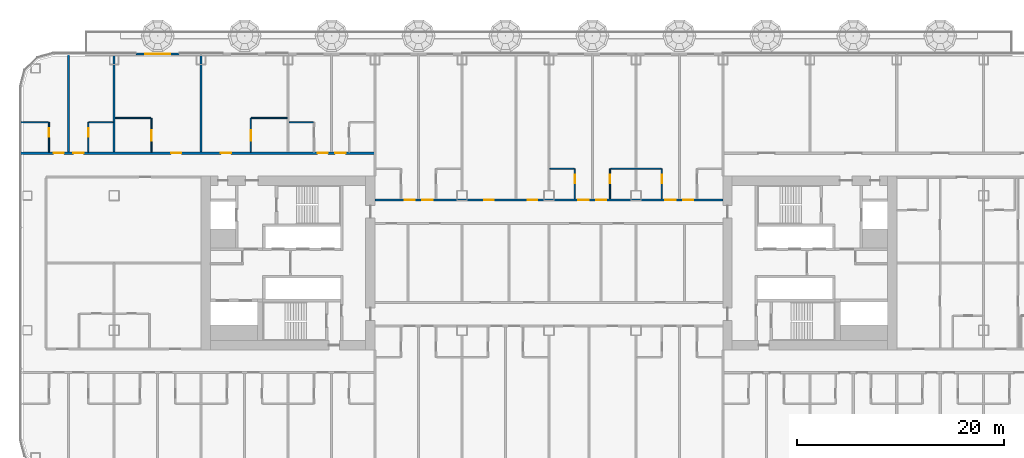
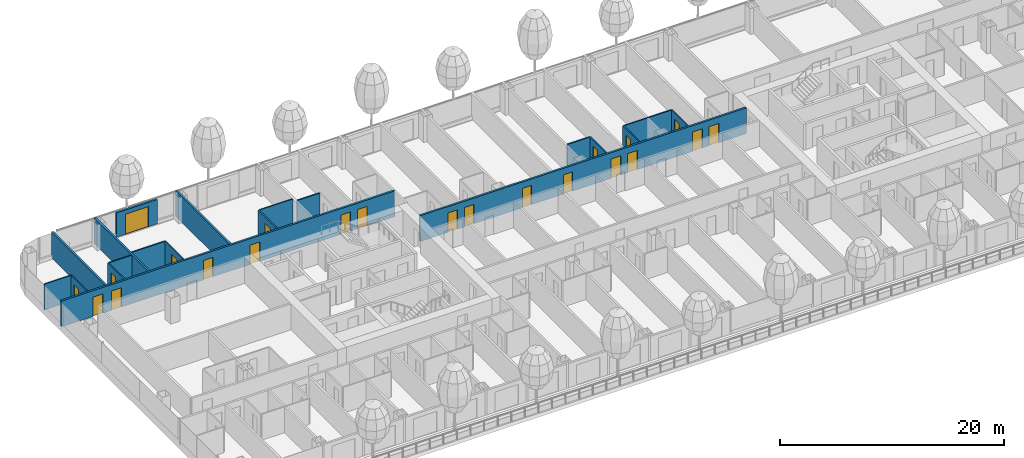
# One storey, part 17 of 37: 22 doors, 20 walls, 22 openings, 1 element without a shape of its own.
"""IFC4 building model written with IfcOpenShell, lengths in metres."""

import ifcopenshell
import ifcopenshell.guid

model = None  # the IFC model being written
_history = None  # IfcOwnerHistory: only IFC2X3 demands one
_inside = {}  # id of a spatial element -> (the spatial element, [elements in it])
_under = {}  # id of a project, library or spatial element -> (it, [spatial elements below it])
_declared = {}  # id of a project -> (the project, [libraries it declares])
_typed = {}  # id of a type object -> (the type object, [elements of that type])
_made_of = {}  # id of a material, layer set ... -> (it, [elements and type objects made of it])


def new_model(schema):
    """Start an empty IFC model of exactly this schema.

    Asked for "IFC4X3", IfcOpenShell would pick the latest addendum, in which some entities
    have other attributes; the version numbers below select the first issue.
    IFC2X3 requires an IfcOwnerHistory on every rooted entity: one is made here for all.
    """
    global model, _history
    if schema == "IFC4X3":
        model = ifcopenshell.file(schema_version=(4, 3, 0, 0))
    else:
        model = ifcopenshell.file(schema=schema)
    _inside.clear()
    _under.clear()
    _declared.clear()
    _typed.clear()
    _made_of.clear()
    _history = None
    if model.schema == "IFC2X3":
        org = make("IfcOrganization", Name="unknown")
        user = make(
            "IfcPersonAndOrganization",
            ThePerson=make("IfcPerson", FamilyName="unknown"),
            TheOrganization=org,
        )
        app = make(
            "IfcApplication",
            ApplicationDeveloper=org,
            Version="unknown",
            ApplicationFullName="unknown",
            ApplicationIdentifier="unknown",
        )
        _history = make(
            "IfcOwnerHistory",
            OwningUser=user,
            OwningApplication=app,
            ChangeAction="ADDED",
            CreationDate=0,
        )
    return model


def make(cls, **values):
    """One entity of the class cls with the attributes given. An attribute that is None is left unset."""
    return model.create_entity(
        cls, **{name: value for name, value in values.items() if value is not None}
    )


def rooted(cls, **values):
    """An entity with a GlobalId (a new one), such as an element, a storey or a relation."""
    return make(cls, GlobalId=ifcopenshell.guid.new(), OwnerHistory=_history, **values)


def si_unit(unit_type, name, prefix=None):
    """IfcSIUnit, for example si_unit("LENGTHUNIT", "METRE", prefix="MILLI")."""
    return make("IfcSIUnit", UnitType=unit_type, Prefix=prefix, Name=name)


def assignment(units):
    """IfcUnitAssignment: the units of a project."""
    return None if units is None else make("IfcUnitAssignment", Units=units)


def point(xyz):
    """IfcCartesianPoint."""
    return None if xyz is None else make("IfcCartesianPoint", Coordinates=xyz)


def direction(xyz):
    """IfcDirection."""
    return None if xyz is None else make("IfcDirection", DirectionRatios=xyz)


def frame(location, z_axis=None, x_axis=None):
    """IfcAxis2Placement3D, a coordinate frame: its origin and axes. An axis left out is left unset."""
    return make(
        "IfcAxis2Placement3D",
        Location=point(location),
        Axis=direction(z_axis),
        RefDirection=direction(x_axis),
    )


def frame_2d(location, x_axis=None):
    """IfcAxis2Placement2D, a coordinate frame in the plane: its origin and x axis."""
    return make(
        "IfcAxis2Placement2D", Location=point(location), RefDirection=direction(x_axis)
    )


def origin():
    """The frame at (0, 0, 0) with its axes left unset."""
    return frame((0.0, 0.0, 0.0))


def place(relative_to, where):
    """IfcLocalPlacement: puts the frame where relative to a parent placement (None: the world)."""
    return make(
        "IfcLocalPlacement", PlacementRelTo=relative_to, RelativePlacement=where
    )


def context(
    kind, dimensions, precision=None, world=None, true_north=None, identifier=None
):
    """IfcGeometricRepresentationContext, for example the 3D "Model" context."""
    return make(
        "IfcGeometricRepresentationContext",
        ContextIdentifier=identifier,
        ContextType=kind,
        CoordinateSpaceDimension=dimensions,
        Precision=precision,
        WorldCoordinateSystem=world,
        TrueNorth=true_north,
    )


def subcontext(parent, identifier, kind, view, scale=None):
    """IfcGeometricRepresentationSubContext, for example "Body" below "Model"."""
    return make(
        "IfcGeometricRepresentationSubContext",
        ContextIdentifier=identifier,
        ContextType=kind,
        ParentContext=parent,
        TargetScale=scale,
        TargetView=view,
    )


def project(units=None, contexts=None):
    """IfcProject with its units and contexts."""
    return rooted(
        "IfcProject",
        Name="project",
        RepresentationContexts=contexts,
        UnitsInContext=assignment(units),
    )


def spatial(cls, under=None, at=None, **own):
    """A site, building, storey or space (cls), placed at a placement, below another one or the project."""
    s = rooted(cls, ObjectPlacement=at, **own)
    if under is not None:
        _under.setdefault(under.id(), (under, []))[1].append(s)
    return s


def profile(cls, at=None, kind="AREA", **sizes):
    """A parametric profile (cls). Its sizes go by their IFC names, for example OverallWidth=200.0."""
    return make(cls, ProfileType=kind, Position=at, **sizes)


def rectangle(**sizes):
    """IfcRectangleProfileDef."""
    return profile("IfcRectangleProfileDef", **sizes)


def extrude(swept, where, along, depth):
    """IfcExtrudedAreaSolid: the profile swept, set in the frame where, extruded along a direction by depth."""
    return make(
        "IfcExtrudedAreaSolid",
        SweptArea=swept,
        Position=where,
        ExtrudedDirection=direction(along),
        Depth=depth,
    )


def shape(context_of_items, identifier, shape_type, items):
    """IfcShapeRepresentation: the items that make up one representation, for example the "Body"."""
    return make(
        "IfcShapeRepresentation",
        ContextOfItems=context_of_items,
        RepresentationIdentifier=identifier,
        RepresentationType=shape_type,
        Items=items,
    )


def material(Name=None, Category=None):
    """IfcMaterial."""
    return make("IfcMaterial", Name=Name, Category=Category)


def layer(
    of_material, thickness, ventilated=None, Name=None, Category=None, Priority=None
):
    """IfcMaterialLayer: one layer of a wall or slab, of a material (None: an air gap)."""
    return make(
        "IfcMaterialLayer",
        Material=of_material,
        LayerThickness=thickness,
        IsVentilated=ventilated,
        Name=Name,
        Category=Category,
        Priority=Priority,
    )


def layer_set(layers, Name=None):
    """IfcMaterialLayerSet."""
    return make("IfcMaterialLayerSet", MaterialLayers=layers, LayerSetName=Name)


def made_of(thing, what):
    """Note that an element or type object is made of a material, layer set ...; save() writes the relation."""
    if what is not None:
        _made_of.setdefault(what.id(), (what, []))[1].append(thing)
    return thing


def type_object(cls, material=None, **own):
    """A type object (cls), such as IfcWallType, which elements share."""
    return made_of(rooted(cls, **own), material)


def element(
    cls,
    number,
    at=None,
    inside=None,
    cuts=None,
    type_object=None,
    material=None,
    context=None,
    identifier="Body",
    shape_type=None,
    held_by="IfcProductDefinitionShape",
    body=None,
    shapes=None,
    **own,
):
    """One element of the class cls, such as IfcWall. Its Tag is "e" and its number.

    at: its placement. inside: the storey or other place that contains it. cuts: it is an
    opening in that element (IfcRelVoidsElement). A single representation is given by context,
    identifier, shape_type and body (its items); several are given by shapes. held_by: the class
    of the entity that holds the representations. save() writes the other relations.
    """
    e = rooted(cls, Tag="e%d" % number, ObjectPlacement=at, **own)
    if body is not None:
        shapes = [shape(context, identifier, shape_type, body)]
    if shapes is not None:
        e.Representation = make(held_by, Representations=shapes)
    if inside is not None:
        _inside.setdefault(inside.id(), (inside, []))[1].append(e)
    if cuts is not None:
        rooted(
            "IfcRelVoidsElement", RelatingBuildingElement=cuts, RelatedOpeningElement=e
        )
    if type_object is not None:
        _typed.setdefault(type_object.id(), (type_object, []))[1].append(e)
    return made_of(e, material)


def fill(opening, filler):
    """IfcRelFillsElement: the door or window that sits in an opening."""
    return rooted(
        "IfcRelFillsElement",
        RelatingOpeningElement=opening,
        RelatedBuildingElement=filler,
    )


def aggregate(whole, parts):
    """IfcRelAggregates: a whole, such as a stair, and the parts it consists of."""
    return rooted("IfcRelAggregates", RelatingObject=whole, RelatedObjects=parts)


def save(model, path):
    """Write the relations noted so far, then the file.

    IfcRelAggregates (storeys below a building ...), IfcRelContainedInSpatialStructure (elements
    in a storey), IfcRelDefinesByType, IfcRelAssociatesMaterial and IfcRelDeclares: one each for
    every whole, place, type object, material and project.
    """
    for whole, parts in _under.values():
        aggregate(whole, parts)
    for where, things in _inside.values():
        rooted(
            "IfcRelContainedInSpatialStructure",
            RelatedElements=things,
            RelatingStructure=where,
        )
    for kind, things in _typed.values():
        rooted("IfcRelDefinesByType", RelatedObjects=things, RelatingType=kind)
    for what, things in _made_of.values():
        rooted("IfcRelAssociatesMaterial", RelatedObjects=things, RelatingMaterial=what)
    for by, libraries in _declared.values():
        rooted("IfcRelDeclares", RelatingContext=by, RelatedDefinitions=libraries)
    model.write(path)


model = new_model("IFC4")

# Units and contexts
model_context = context("Model", 3, precision=1e-05, world=origin(), true_north=direction((0.0, 1.0)))
body_context = subcontext(model_context, "Body", "Model", "MODEL_VIEW")
ifc_project = project(units=[si_unit("LENGTHUNIT", "METRE"), si_unit("AREAUNIT", "SQUARE_METRE"), si_unit("VOLUMEUNIT", "CUBIC_METRE"), si_unit("PLANEANGLEUNIT", "RADIAN"), si_unit("MASSUNIT", "GRAM", prefix="KILO")], contexts=[model_context])

# Site, building, storey
site_placement = place(None, origin())
site = spatial("IfcSite", under=ifc_project, at=site_placement, CompositionType="ELEMENT")
building_placement = place(site_placement, origin())
building = spatial("IfcBuilding", under=site, at=building_placement, Name="Hakoniwa Tower and Hamabe Station Hall", CompositionType="ELEMENT")
storey_placement = place(building_placement, frame((0.0, 0.0, 39.0)))
storey = spatial("IfcBuildingStorey", under=building, at=storey_placement, Name="L10", CompositionType="ELEMENT", Elevation=39.0)

# Walls
ifc_material_1 = material(Name="Gypsum board partition", Category="gypsum")
ifc_layer_1 = layer(ifc_material_1, 0.125)
ifc_layer_set_1 = layer_set([ifc_layer_1], Name="Bathroom Partition 125")
wall_type_1 = type_object("IfcWallType", Name="Bathroom Partition 125", PredefinedType="PARTITIONING", material=ifc_layer_set_1)
wall_1_placement = place(storey_placement, frame((0.10009765625, 9.10009765625, 0.0), z_axis=(0.0, 0.0, 1.0), x_axis=(1.0, 0.0, 0.0)))
element("IfcWall", 1, at=wall_1_placement, inside=storey, type_object=wall_type_1, Name="GW-L10-035", PredefinedType="PARTITIONING", context=body_context, shape_type="SweptSolid", body=[
    extrude(rectangle(XDim=2.33740234375, YDim=0.125, at=frame_2d((1.168701171875, 0.0))), origin(), (0.0, 0.0, 1.0), 2.800048828125),
])
wall_2_placement = place(storey_placement, frame((5.96240234375, 9.10009765625, 0.0), z_axis=(0.0, 0.0, 1.0), x_axis=(1.0, 0.0, 0.0)))
element("IfcWall", 2, at=wall_2_placement, inside=storey, type_object=wall_type_1, Name="GW-L10-036", PredefinedType="PARTITIONING", context=body_context, shape_type="SweptSolid", body=[
    extrude(rectangle(XDim=4.875, YDim=0.125, at=frame_2d((2.4375, 0.0))), origin(), (0.0, 0.0, 1.0), 2.800048828125),
])
wall_3_placement = place(storey_placement, frame((-51.10009765625, 13.60009765625, 0.0), z_axis=(0.0, 0.0, 1.0), x_axis=(1.0, 0.0, 0.0)))
element("IfcWall", 3, at=wall_3_placement, inside=storey, type_object=wall_type_1, Name="GW-L10-040", PredefinedType="PARTITIONING", context=body_context, shape_type="SweptSolid", body=[
    extrude(rectangle(XDim=2.737548828125, YDim=0.125, at=frame_2d((1.36865234375, 0.0))), origin(), (0.0, 0.0, 1.0), 2.800048828125),
])
wall_4_placement = place(storey_placement, frame((-44.4375, 13.60009765625, 0.0), z_axis=(0.0, 0.0, 1.0), x_axis=(1.0, 0.0, 0.0)))
element("IfcWall", 4, at=wall_4_placement, inside=storey, type_object=wall_type_1, Name="GW-L10-041", PredefinedType="PARTITIONING", context=body_context, shape_type="SweptSolid", body=[
    extrude(rectangle(XDim=2.33740234375, YDim=0.125, at=frame_2d((1.168701171875, 0.0))), origin(), (0.0, 0.0, 1.0), 2.800048828125),
])
wall_5_placement = place(storey_placement, frame((-25.10009765625, 13.60009765625, 0.0), z_axis=(0.0, 0.0, 1.0), x_axis=(1.0, 0.0, 0.0)))
element("IfcWall", 5, at=wall_5_placement, inside=storey, type_object=wall_type_1, Name="GW-L10-042", PredefinedType="PARTITIONING", context=body_context, shape_type="SweptSolid", body=[
    extrude(rectangle(XDim=2.337646484375, YDim=0.125, at=frame_2d((1.1689453125, 0.0))), origin(), (0.0, 0.0, 1.0), 2.800048828125),
])
for number, where, z_axis, x_axis, name in (
    (6, (-41.89990234375, 14.0, 0.0), (0.0, 0.0, 1.0), (1.0, 0.0, 0.0), "GW-L10-044"),
    (7, (-28.737548828125, 14.0, 0.0), (0.0, 0.0, 1.0), (1.0, 0.0, 0.0), "GW-L10-045"),
):
    element("IfcWall", number, at=place(storey_placement, frame(where, z_axis=z_axis, x_axis=x_axis)), inside=storey, type_object=wall_type_1, Name=name, PredefinedType="PARTITIONING", context=body_context, shape_type="SweptSolid", body=[
        extrude(rectangle(XDim=3.4375, YDim=0.125, at=frame_2d((1.71875, 0.0))), origin(), (0.0, 0.0, 1.0), 2.800048828125),
    ])

# Wall, opening, door
wall_6_placement = place(storey_placement, frame((-48.300048828125, 10.699951171875, 0.0), z_axis=(0.0, 0.0, 1.0), x_axis=(0.0, 1.0, 0.0)))
wall_6 = element("IfcWall", 8, at=wall_6_placement, inside=storey, type_object=wall_type_1, Name="GW-L10-048", PredefinedType="PARTITIONING", context=body_context, shape_type="SweptSolid", body=[
    extrude(rectangle(XDim=2.900146484375, YDim=0.125, at=frame_2d((1.4501953125, 0.0))), origin(), (0.0, 0.0, 1.0), 2.800048828125),
])
opening_1_placement = place(wall_6_placement, frame((1.5, 0.0, 0.0)))
opening_1 = element("IfcOpeningElement", 9, at=opening_1_placement, cuts=wall_6, Name="Opening GD-G1B1-65", PredefinedType="OPENING", context=body_context, shape_type="SweptSolid", body=[
    extrude(rectangle(XDim=0.800048828125, YDim=2.10009765625, at=frame_2d((0.39990234375, 1.050048828125))), frame((0.0, 0.072509765625, 0.0), z_axis=(0.0, -1.0, 0.0), x_axis=(1.0, 0.0, 0.0)), (0.0, 0.0, 1.0), 0.14501953125),
])
ifc_material_2 = material(Name="Timber door leaf", Category="wood")
door_type_1 = type_object("IfcDoorType", Name="Bathroom Door 800", OperationType="SINGLE_SWING_LEFT", PredefinedType="DOOR", material=ifc_material_2)
door_1_placement = place(opening_1_placement, origin())
door_1 = element("IfcDoor", 10, at=door_1_placement, inside=storey, type_object=door_type_1, Name="Door GD-G1B1-65", OperationType="SINGLE_SWING_LEFT", OverallHeight=2.10009765625, OverallWidth=0.800048828125, PredefinedType="DOOR", context=body_context, shape_type="SweptSolid", body=[
    extrude(rectangle(XDim=0.800048828125, YDim=2.10009765625, at=frame_2d((0.39990234375, 1.050048828125))), frame((0.0, 0.02490234375, 0.0), z_axis=(0.0, -1.0, 0.0), x_axis=(1.0, 0.0, 0.0)), (0.0, 0.0, 1.0), 0.050048828125),
])
fill(opening_1, door_1)

wall_7_placement = place(storey_placement, frame((-44.5, 10.699951171875, 0.0), z_axis=(0.0, 0.0, 1.0), x_axis=(0.0, 1.0, 0.0)))
wall_7 = element("IfcWall", 11, at=wall_7_placement, inside=storey, type_object=wall_type_1, Name="GW-L10-053", PredefinedType="PARTITIONING", context=body_context, shape_type="SweptSolid", body=[
    extrude(rectangle(XDim=2.900146484375, YDim=0.125, at=frame_2d((1.4501953125, 0.0))), origin(), (0.0, 0.0, 1.0), 2.800048828125),
])
opening_2_placement = place(wall_7_placement, frame((1.5, 0.0, 0.0)))
opening_2 = element("IfcOpeningElement", 12, at=opening_2_placement, cuts=wall_7, Name="Opening GD-G1B1-67", PredefinedType="OPENING", context=body_context, shape_type="SweptSolid", body=[
    extrude(rectangle(XDim=0.800048828125, YDim=2.10009765625, at=frame_2d((0.39990234375, 1.050048828125))), frame((0.0, 0.072509765625, 0.0), z_axis=(0.0, -1.0, 0.0), x_axis=(1.0, 0.0, 0.0)), (0.0, 0.0, 1.0), 0.14501953125),
])
door_2_placement = place(opening_2_placement, origin())
door_2 = element("IfcDoor", 13, at=door_2_placement, inside=storey, type_object=door_type_1, Name="Door GD-G1B1-67", OperationType="SINGLE_SWING_RIGHT", OverallHeight=2.10009765625, OverallWidth=0.800048828125, PredefinedType="DOOR", context=body_context, shape_type="SweptSolid", body=[
    extrude(rectangle(XDim=0.800048828125, YDim=2.10009765625, at=frame_2d((0.39990234375, 1.050048828125))), frame((0.0, 0.02490234375, 0.0), z_axis=(0.0, -1.0, 0.0), x_axis=(1.0, 0.0, 0.0)), (0.0, 0.0, 1.0), 0.050048828125),
])
fill(opening_2, door_2)

wall_8_placement = place(storey_placement, frame((-38.39990234375, 10.699951171875, 0.0), z_axis=(0.0, 0.0, 1.0), x_axis=(0.0, 1.0, 0.0)))
wall_8 = element("IfcWall", 14, at=wall_8_placement, inside=storey, type_object=wall_type_1, Name="GW-L10-059", PredefinedType="PARTITIONING", context=body_context, shape_type="SweptSolid", body=[
    extrude(rectangle(XDim=3.300048828125, YDim=0.125, at=frame_2d((1.64990234375, 0.0))), origin(), (0.0, 0.0, 1.0), 2.800048828125),
])
opening_3_placement = place(wall_8_placement, frame((1.10009765625, 0.0, 0.0)))
opening_3 = element("IfcOpeningElement", 15, at=opening_3_placement, cuts=wall_8, Name="Opening GD-G1B1-69", PredefinedType="OPENING", context=body_context, shape_type="SweptSolid", body=[
    extrude(rectangle(XDim=1.0, YDim=2.10009765625, at=frame_2d((0.5, 1.050048828125))), frame((0.0, 0.072509765625, 0.0), z_axis=(0.0, -1.0, 0.0), x_axis=(1.0, 0.0, 0.0)), (0.0, 0.0, 1.0), 0.14501953125),
])
ifc_material_3 = material(Name="Timber door leaf", Category="wood")
door_type_2 = type_object("IfcDoorType", Name="Accessible Bathroom Door 1000", OperationType="SINGLE_SWING_LEFT", PredefinedType="DOOR", material=ifc_material_3)
door_3_placement = place(opening_3_placement, origin())
door_3 = element("IfcDoor", 16, at=door_3_placement, inside=storey, type_object=door_type_2, Name="Door GD-G1B1-69", OperationType="SINGLE_SWING_LEFT", OverallHeight=2.10009765625, OverallWidth=1.0, PredefinedType="DOOR", context=body_context, shape_type="SweptSolid", body=[
    extrude(rectangle(XDim=1.0, YDim=2.10009765625, at=frame_2d((0.5, 1.050048828125))), frame((0.0, 0.02490234375, 0.0), z_axis=(0.0, -1.0, 0.0), x_axis=(1.0, 0.0, 0.0)), (0.0, 0.0, 1.0), 0.050048828125),
])
fill(opening_3, door_3)

wall_9_placement = place(storey_placement, frame((-28.800048828125, 10.699951171875, 0.0), z_axis=(0.0, 0.0, 1.0), x_axis=(0.0, 1.0, 0.0)))
wall_9 = element("IfcWall", 17, at=wall_9_placement, inside=storey, type_object=wall_type_1, Name="GW-L10-066", PredefinedType="PARTITIONING", context=body_context, shape_type="SweptSolid", body=[
    extrude(rectangle(XDim=3.300048828125, YDim=0.125, at=frame_2d((1.64990234375, 0.0))), origin(), (0.0, 0.0, 1.0), 2.800048828125),
])
opening_4_placement = place(wall_9_placement, frame((1.10009765625, 0.0, 0.0)))
opening_4 = element("IfcOpeningElement", 18, at=opening_4_placement, cuts=wall_9, Name="Opening GD-G1B1-72", PredefinedType="OPENING", context=body_context, shape_type="SweptSolid", body=[
    extrude(rectangle(XDim=1.0, YDim=2.10009765625, at=frame_2d((0.5, 1.050048828125))), frame((0.0, 0.072509765625, 0.0), z_axis=(0.0, -1.0, 0.0), x_axis=(1.0, 0.0, 0.0)), (0.0, 0.0, 1.0), 0.14501953125),
])
door_4_placement = place(opening_4_placement, origin())
door_4 = element("IfcDoor", 19, at=door_4_placement, inside=storey, type_object=door_type_2, Name="Door GD-G1B1-72", OperationType="SINGLE_SWING_RIGHT", OverallHeight=2.10009765625, OverallWidth=1.0, PredefinedType="DOOR", context=body_context, shape_type="SweptSolid", body=[
    extrude(rectangle(XDim=1.0, YDim=2.10009765625, at=frame_2d((0.5, 1.050048828125))), frame((0.0, 0.02490234375, 0.0), z_axis=(0.0, -1.0, 0.0), x_axis=(1.0, 0.0, 0.0)), (0.0, 0.0, 1.0), 0.050048828125),
])
fill(opening_4, door_4)

wall_10_placement = place(storey_placement, frame((2.5, 6.199951171875, 0.0), z_axis=(0.0, 0.0, 1.0), x_axis=(0.0, 1.0, 0.0)))
wall_10 = element("IfcWall", 20, at=wall_10_placement, inside=storey, type_object=wall_type_1, Name="GW-L10-096", PredefinedType="PARTITIONING", context=body_context, shape_type="SweptSolid", body=[
    extrude(rectangle(XDim=2.900146484375, YDim=0.125, at=frame_2d((1.4501953125, 0.0))), origin(), (0.0, 0.0, 1.0), 2.800048828125),
])
opening_5_placement = place(wall_10_placement, frame((1.5, 0.0, 0.0)))
opening_5 = element("IfcOpeningElement", 21, at=opening_5_placement, cuts=wall_10, Name="Opening GD-G1B1-84", PredefinedType="OPENING", context=body_context, shape_type="SweptSolid", body=[
    extrude(rectangle(XDim=0.800048828125, YDim=2.10009765625, at=frame_2d((0.39990234375, 1.050048828125))), frame((0.0, 0.072509765625, 0.0), z_axis=(0.0, -1.0, 0.0), x_axis=(1.0, 0.0, 0.0)), (0.0, 0.0, 1.0), 0.14501953125),
])
door_5_placement = place(opening_5_placement, origin())
door_5 = element("IfcDoor", 22, at=door_5_placement, inside=storey, type_object=door_type_1, Name="Door GD-G1B1-84", OperationType="SINGLE_SWING_LEFT", OverallHeight=2.10009765625, OverallWidth=0.800048828125, PredefinedType="DOOR", context=body_context, shape_type="SweptSolid", body=[
    extrude(rectangle(XDim=0.800048828125, YDim=2.10009765625, at=frame_2d((0.39990234375, 1.050048828125))), frame((0.0, 0.02490234375, 0.0), z_axis=(0.0, -1.0, 0.0), x_axis=(1.0, 0.0, 0.0)), (0.0, 0.0, 1.0), 0.050048828125),
])
fill(opening_5, door_5)

wall_11_placement = place(storey_placement, frame((5.89990234375, 6.199951171875, 0.0), z_axis=(0.0, 0.0, 1.0), x_axis=(0.0, 1.0, 0.0)))
wall_11 = element("IfcWall", 23, at=wall_11_placement, inside=storey, type_object=wall_type_1, Name="GW-L10-100", PredefinedType="PARTITIONING", context=body_context, shape_type="SweptSolid", body=[
    extrude(rectangle(XDim=2.900146484375, YDim=0.125, at=frame_2d((1.4501953125, 0.0))), origin(), (0.0, 0.0, 1.0), 2.800048828125),
])
opening_6_placement = place(wall_11_placement, frame((1.5, 0.0, 0.0)))
opening_6 = element("IfcOpeningElement", 24, at=opening_6_placement, cuts=wall_11, Name="Opening GD-G1B1-85", PredefinedType="OPENING", context=body_context, shape_type="SweptSolid", body=[
    extrude(rectangle(XDim=0.800048828125, YDim=2.10009765625, at=frame_2d((0.39990234375, 1.050048828125))), frame((0.0, 0.072509765625, 0.0), z_axis=(0.0, -1.0, 0.0), x_axis=(1.0, 0.0, 0.0)), (0.0, 0.0, 1.0), 0.14501953125),
])
door_6_placement = place(opening_6_placement, origin())
door_6 = element("IfcDoor", 25, at=door_6_placement, inside=storey, type_object=door_type_1, Name="Door GD-G1B1-85", OperationType="SINGLE_SWING_RIGHT", OverallHeight=2.10009765625, OverallWidth=0.800048828125, PredefinedType="DOOR", context=body_context, shape_type="SweptSolid", body=[
    extrude(rectangle(XDim=0.800048828125, YDim=2.10009765625, at=frame_2d((0.39990234375, 1.050048828125))), frame((0.0, 0.02490234375, 0.0), z_axis=(0.0, -1.0, 0.0), x_axis=(1.0, 0.0, 0.0)), (0.0, 0.0, 1.0), 0.050048828125),
])
fill(opening_6, door_6)

wall_12_placement = place(storey_placement, frame((10.89990234375, 6.199951171875, 0.0), z_axis=(0.0, 0.0, 1.0), x_axis=(0.0, 1.0, 0.0)))
wall_12 = element("IfcWall", 26, at=wall_12_placement, inside=storey, type_object=wall_type_1, Name="GW-L10-105", PredefinedType="PARTITIONING", context=body_context, shape_type="SweptSolid", body=[
    extrude(rectangle(XDim=2.900146484375, YDim=0.125, at=frame_2d((1.4501953125, 0.0))), origin(), (0.0, 0.0, 1.0), 2.800048828125),
])
opening_7_placement = place(wall_12_placement, frame((1.5, 0.0, 0.0)))
opening_7 = element("IfcOpeningElement", 27, at=opening_7_placement, cuts=wall_12, Name="Opening GD-G1B1-87", PredefinedType="OPENING", context=body_context, shape_type="SweptSolid", body=[
    extrude(rectangle(XDim=0.800048828125, YDim=2.10009765625, at=frame_2d((0.39990234375, 1.050048828125))), frame((0.0, 0.072509765625, 0.0), z_axis=(0.0, -1.0, 0.0), x_axis=(1.0, 0.0, 0.0)), (0.0, 0.0, 1.0), 0.14501953125),
])
door_7_placement = place(opening_7_placement, origin())
door_7 = element("IfcDoor", 28, at=door_7_placement, inside=storey, type_object=door_type_1, Name="Door GD-G1B1-87", OperationType="SINGLE_SWING_LEFT", OverallHeight=2.10009765625, OverallWidth=0.800048828125, PredefinedType="DOOR", context=body_context, shape_type="SweptSolid", body=[
    extrude(rectangle(XDim=0.800048828125, YDim=2.10009765625, at=frame_2d((0.39990234375, 1.050048828125))), frame((0.0, 0.02490234375, 0.0), z_axis=(0.0, -1.0, 0.0), x_axis=(1.0, 0.0, 0.0)), (0.0, 0.0, 1.0), 0.050048828125),
])
fill(opening_7, door_7)

# Wall, openings, doors
ifc_material_4 = material(Name="Fire-rated gypsum board partition", Category="gypsum")
ifc_layer_2 = layer(ifc_material_4, 0.199951171875)
ifc_layer_set_2 = layer_set([ifc_layer_2], Name="Corridor Wall 200")
wall_type_2 = type_object("IfcWallType", Name="Corridor Wall 200", PredefinedType="PARTITIONING", material=ifc_layer_set_2)
wall_13_placement = place(storey_placement, frame((-16.800048828125, 6.10009765625, 0.0), z_axis=(0.0, 0.0, 1.0), x_axis=(1.0, 0.0, 0.0)))
wall_13 = element("IfcWall", 29, at=wall_13_placement, inside=storey, type_object=wall_type_2, Name="GW-L10-030", PredefinedType="PARTITIONING", context=body_context, shape_type="SweptSolid", body=[
    extrude(rectangle(XDim=33.60009765625, YDim=0.199951171875, at=frame_2d((16.800048828125, 0.0))), origin(), (0.0, 0.0, 1.0), 2.800048828125),
])
opening_8_placement = place(wall_13_placement, frame((2.85009765625, 0.0, 0.0)))
opening_8 = element("IfcOpeningElement", 30, at=opening_8_placement, cuts=wall_13, Name="Opening GD-G1B1-43", PredefinedType="OPENING", context=body_context, shape_type="SweptSolid", body=[
    extrude(rectangle(XDim=1.0, YDim=2.10009765625, at=frame_2d((0.5, 1.050048828125))), frame((0.0, 0.10986328125, 0.0), z_axis=(0.0, -1.0, 0.0), x_axis=(1.0, 0.0, 0.0)), (0.0, 0.0, 1.0), 0.219970703125),
])
opening_9_placement = place(wall_13_placement, frame((4.550048828125, 0.0, 0.0)))
opening_9 = element("IfcOpeningElement", 31, at=opening_9_placement, cuts=wall_13, Name="Opening GD-G1B1-44", PredefinedType="OPENING", context=body_context, shape_type="SweptSolid", body=[
    extrude(rectangle(XDim=1.0, YDim=2.10009765625, at=frame_2d((0.5, 1.050048828125))), frame((0.0, 0.10986328125, 0.0), z_axis=(0.0, -1.0, 0.0), x_axis=(1.0, 0.0, 0.0)), (0.0, 0.0, 1.0), 0.219970703125),
])
opening_10_placement = place(wall_13_placement, frame((10.554931640625, 0.0, 0.0)))
opening_10 = element("IfcOpeningElement", 32, at=opening_10_placement, cuts=wall_13, Name="Opening GD-G1B1-45", PredefinedType="OPENING", context=body_context, shape_type="SweptSolid", body=[
    extrude(rectangle(XDim=0.89990234375, YDim=2.10009765625, at=frame_2d((0.449951171875, 1.050048828125))), frame((0.0, 0.10986328125, 0.0), z_axis=(0.0, -1.0, 0.0), x_axis=(1.0, 0.0, 0.0)), (0.0, 0.0, 1.0), 0.219970703125),
])
opening_11_placement = place(wall_13_placement, frame((14.7548828125, 0.0, 0.0)))
opening_11 = element("IfcOpeningElement", 33, at=opening_11_placement, cuts=wall_13, Name="Opening GD-G1B1-46", PredefinedType="OPENING", context=body_context, shape_type="SweptSolid", body=[
    extrude(rectangle(XDim=0.89990234375, YDim=2.10009765625, at=frame_2d((0.449951171875, 1.050048828125))), frame((0.0, 0.10986328125, 0.0), z_axis=(0.0, -1.0, 0.0), x_axis=(1.0, 0.0, 0.0)), (0.0, 0.0, 1.0), 0.219970703125),
])
opening_12_placement = place(wall_13_placement, frame((19.64990234375, 0.0, 0.0)))
opening_12 = element("IfcOpeningElement", 34, at=opening_12_placement, cuts=wall_13, Name="Opening GD-G1B1-47", PredefinedType="OPENING", context=body_context, shape_type="SweptSolid", body=[
    extrude(rectangle(XDim=1.0, YDim=2.10009765625, at=frame_2d((0.5, 1.050048828125))), frame((0.0, 0.10986328125, 0.0), z_axis=(0.0, -1.0, 0.0), x_axis=(1.0, 0.0, 0.0)), (0.0, 0.0, 1.0), 0.219970703125),
])
opening_13_placement = place(wall_13_placement, frame((21.35009765625, 0.0, 0.0)))
opening_13 = element("IfcOpeningElement", 35, at=opening_13_placement, cuts=wall_13, Name="Opening GD-G1B1-48", PredefinedType="OPENING", context=body_context, shape_type="SweptSolid", body=[
    extrude(rectangle(XDim=1.0, YDim=2.10009765625, at=frame_2d((0.5, 1.050048828125))), frame((0.0, 0.10986328125, 0.0), z_axis=(0.0, -1.0, 0.0), x_axis=(1.0, 0.0, 0.0)), (0.0, 0.0, 1.0), 0.219970703125),
])
opening_14_placement = place(wall_13_placement, frame((28.050048828125, 0.0, 0.0)))
opening_14 = element("IfcOpeningElement", 36, at=opening_14_placement, cuts=wall_13, Name="Opening GD-G1B1-49", PredefinedType="OPENING", context=body_context, shape_type="SweptSolid", body=[
    extrude(rectangle(XDim=1.0, YDim=2.10009765625, at=frame_2d((0.5, 1.050048828125))), frame((0.0, 0.10986328125, 0.0), z_axis=(0.0, -1.0, 0.0), x_axis=(1.0, 0.0, 0.0)), (0.0, 0.0, 1.0), 0.219970703125),
])
opening_15_placement = place(wall_13_placement, frame((29.75, 0.0, 0.0)))
opening_15 = element("IfcOpeningElement", 37, at=opening_15_placement, cuts=wall_13, Name="Opening GD-G1B1-50", PredefinedType="OPENING", context=body_context, shape_type="SweptSolid", body=[
    extrude(rectangle(XDim=1.0, YDim=2.10009765625, at=frame_2d((0.5, 1.050048828125))), frame((0.0, 0.10986328125, 0.0), z_axis=(0.0, -1.0, 0.0), x_axis=(1.0, 0.0, 0.0)), (0.0, 0.0, 1.0), 0.219970703125),
])
ifc_material_5 = material(Name="Timber door leaf", Category="wood")
door_type_3 = type_object("IfcDoorType", Name="Guest Entrance Door 1000", OperationType="SINGLE_SWING_LEFT", PredefinedType="DOOR", material=ifc_material_5)
door_8_placement = place(opening_8_placement, origin())
door_8 = element("IfcDoor", 38, at=door_8_placement, inside=storey, type_object=door_type_3, Name="Door GD-G1B1-43", OperationType="SINGLE_SWING_LEFT", OverallHeight=2.10009765625, OverallWidth=1.0, PredefinedType="DOOR", context=body_context, shape_type="SweptSolid", body=[
    extrude(rectangle(XDim=1.0, YDim=2.10009765625, at=frame_2d((0.5, 1.050048828125))), frame((0.0, 0.02490234375, 0.0), z_axis=(0.0, -1.0, 0.0), x_axis=(1.0, 0.0, 0.0)), (0.0, 0.0, 1.0), 0.050048828125),
])
fill(opening_8, door_8)
door_9_placement = place(opening_9_placement, origin())
door_9 = element("IfcDoor", 39, at=door_9_placement, inside=storey, type_object=door_type_3, Name="Door GD-G1B1-44", OperationType="SINGLE_SWING_RIGHT", OverallHeight=2.10009765625, OverallWidth=1.0, PredefinedType="DOOR", context=body_context, shape_type="SweptSolid", body=[
    extrude(rectangle(XDim=1.0, YDim=2.10009765625, at=frame_2d((0.5, 1.050048828125))), frame((0.0, 0.02490234375, 0.0), z_axis=(0.0, -1.0, 0.0), x_axis=(1.0, 0.0, 0.0)), (0.0, 0.0, 1.0), 0.050048828125),
])
fill(opening_9, door_9)
door_10_placement = place(opening_12_placement, origin())
door_10 = element("IfcDoor", 40, at=door_10_placement, inside=storey, type_object=door_type_3, Name="Door GD-G1B1-47", OperationType="SINGLE_SWING_LEFT", OverallHeight=2.10009765625, OverallWidth=1.0, PredefinedType="DOOR", context=body_context, shape_type="SweptSolid", body=[
    extrude(rectangle(XDim=1.0, YDim=2.10009765625, at=frame_2d((0.5, 1.050048828125))), frame((0.0, 0.02490234375, 0.0), z_axis=(0.0, -1.0, 0.0), x_axis=(1.0, 0.0, 0.0)), (0.0, 0.0, 1.0), 0.050048828125),
])
fill(opening_12, door_10)
door_11_placement = place(opening_13_placement, origin())
door_11 = element("IfcDoor", 41, at=door_11_placement, inside=storey, type_object=door_type_3, Name="Door GD-G1B1-48", OperationType="SINGLE_SWING_RIGHT", OverallHeight=2.10009765625, OverallWidth=1.0, PredefinedType="DOOR", context=body_context, shape_type="SweptSolid", body=[
    extrude(rectangle(XDim=1.0, YDim=2.10009765625, at=frame_2d((0.5, 1.050048828125))), frame((0.0, 0.02490234375, 0.0), z_axis=(0.0, -1.0, 0.0), x_axis=(1.0, 0.0, 0.0)), (0.0, 0.0, 1.0), 0.050048828125),
])
fill(opening_13, door_11)
door_12_placement = place(opening_14_placement, origin())
door_12 = element("IfcDoor", 42, at=door_12_placement, inside=storey, type_object=door_type_3, Name="Door GD-G1B1-49", OperationType="SINGLE_SWING_LEFT", OverallHeight=2.10009765625, OverallWidth=1.0, PredefinedType="DOOR", context=body_context, shape_type="SweptSolid", body=[
    extrude(rectangle(XDim=1.0, YDim=2.10009765625, at=frame_2d((0.5, 1.050048828125))), frame((0.0, 0.02490234375, 0.0), z_axis=(0.0, -1.0, 0.0), x_axis=(1.0, 0.0, 0.0)), (0.0, 0.0, 1.0), 0.050048828125),
])
fill(opening_14, door_12)
door_13_placement = place(opening_15_placement, origin())
door_13 = element("IfcDoor", 43, at=door_13_placement, inside=storey, type_object=door_type_3, Name="Door GD-G1B1-50", OperationType="SINGLE_SWING_LEFT", OverallHeight=2.10009765625, OverallWidth=1.0, PredefinedType="DOOR", context=body_context, shape_type="SweptSolid", body=[
    extrude(rectangle(XDim=1.0, YDim=2.10009765625, at=frame_2d((0.5, 1.050048828125))), frame((0.0, 0.02490234375, 0.0), z_axis=(0.0, -1.0, 0.0), x_axis=(1.0, 0.0, 0.0)), (0.0, 0.0, 1.0), 0.050048828125),
])
fill(opening_15, door_13)
ifc_material_6 = material(Name="Timber door leaf", Category="wood")
door_type_4 = type_object("IfcDoorType", Name="Service Door 900", OperationType="SINGLE_SWING_LEFT", PredefinedType="DOOR", material=ifc_material_6)
door_14_placement = place(opening_10_placement, origin())
door_14 = element("IfcDoor", 44, at=door_14_placement, inside=storey, type_object=door_type_4, Name="Door GD-G1B1-45", OperationType="SINGLE_SWING_LEFT", OverallHeight=2.10009765625, OverallWidth=0.89990234375, PredefinedType="DOOR", context=body_context, shape_type="SweptSolid", body=[
    extrude(rectangle(XDim=0.89990234375, YDim=2.10009765625, at=frame_2d((0.449951171875, 1.050048828125))), frame((0.0, 0.02490234375, 0.0), z_axis=(0.0, -1.0, 0.0), x_axis=(1.0, 0.0, 0.0)), (0.0, 0.0, 1.0), 0.050048828125),
])
fill(opening_10, door_14)
door_15_placement = place(opening_11_placement, origin())
door_15 = element("IfcDoor", 45, at=door_15_placement, inside=storey, type_object=door_type_4, Name="Door GD-G1B1-46", OperationType="SINGLE_SWING_RIGHT", OverallHeight=2.10009765625, OverallWidth=0.89990234375, PredefinedType="DOOR", context=body_context, shape_type="SweptSolid", body=[
    extrude(rectangle(XDim=0.89990234375, YDim=2.10009765625, at=frame_2d((0.449951171875, 1.050048828125))), frame((0.0, 0.02490234375, 0.0), z_axis=(0.0, -1.0, 0.0), x_axis=(1.0, 0.0, 0.0)), (0.0, 0.0, 1.0), 0.050048828125),
])
fill(opening_11, door_15)

wall_14_placement = place(storey_placement, frame((-51.10009765625, 10.60009765625, 0.0), z_axis=(0.0, 0.0, 1.0), x_axis=(1.0, 0.0, 0.0)))
wall_14 = element("IfcWall", 46, at=wall_14_placement, inside=storey, type_object=wall_type_2, Name="GW-L10-038", PredefinedType="PARTITIONING", context=body_context, shape_type="SweptSolid", body=[
    extrude(rectangle(XDim=34.300048828125, YDim=0.199951171875, at=frame_2d((17.14990234375, 0.0))), origin(), (0.0, 0.0, 1.0), 2.800048828125),
])
opening_16_placement = place(wall_14_placement, frame((3.25, 0.0, 0.0)))
opening_16 = element("IfcOpeningElement", 47, at=opening_16_placement, cuts=wall_14, Name="Opening GD-G1B1-54", PredefinedType="OPENING", context=body_context, shape_type="SweptSolid", body=[
    extrude(rectangle(XDim=1.0, YDim=2.10009765625, at=frame_2d((0.5, 1.050048828125))), frame((0.0, 0.10986328125, 0.0), z_axis=(0.0, -1.0, 0.0), x_axis=(1.0, 0.0, 0.0)), (0.0, 0.0, 1.0), 0.219970703125),
])
opening_17_placement = place(wall_14_placement, frame((5.14990234375, 0.0, 0.0)))
opening_17 = element("IfcOpeningElement", 48, at=opening_17_placement, cuts=wall_14, Name="Opening GD-G1B1-55", PredefinedType="OPENING", context=body_context, shape_type="SweptSolid", body=[
    extrude(rectangle(XDim=1.0, YDim=2.10009765625, at=frame_2d((0.5, 1.050048828125))), frame((0.0, 0.10986328125, 0.0), z_axis=(0.0, -1.0, 0.0), x_axis=(1.0, 0.0, 0.0)), (0.0, 0.0, 1.0), 0.219970703125),
])
opening_18_placement = place(wall_14_placement, frame((14.60009765625, 0.0, 0.0)))
opening_18 = element("IfcOpeningElement", 49, at=opening_18_placement, cuts=wall_14, Name="Opening GD-G1B1-56", PredefinedType="OPENING", context=body_context, shape_type="SweptSolid", body=[
    extrude(rectangle(XDim=1.0, YDim=2.10009765625, at=frame_2d((0.5, 1.050048828125))), frame((0.0, 0.10986328125, 0.0), z_axis=(0.0, -1.0, 0.0), x_axis=(1.0, 0.0, 0.0)), (0.0, 0.0, 1.0), 0.219970703125),
])
opening_19_placement = place(wall_14_placement, frame((19.39990234375, 0.0, 0.0)))
opening_19 = element("IfcOpeningElement", 50, at=opening_19_placement, cuts=wall_14, Name="Opening GD-G1B1-57", PredefinedType="OPENING", context=body_context, shape_type="SweptSolid", body=[
    extrude(rectangle(XDim=1.0, YDim=2.10009765625, at=frame_2d((0.5, 1.050048828125))), frame((0.0, 0.10986328125, 0.0), z_axis=(0.0, -1.0, 0.0), x_axis=(1.0, 0.0, 0.0)), (0.0, 0.0, 1.0), 0.219970703125),
])
opening_20_placement = place(wall_14_placement, frame((28.75, 0.0, 0.0)))
opening_20 = element("IfcOpeningElement", 51, at=opening_20_placement, cuts=wall_14, Name="Opening GD-G1B1-58", PredefinedType="OPENING", context=body_context, shape_type="SweptSolid", body=[
    extrude(rectangle(XDim=1.0, YDim=2.10009765625, at=frame_2d((0.5, 1.050048828125))), frame((0.0, 0.10986328125, 0.0), z_axis=(0.0, -1.0, 0.0), x_axis=(1.0, 0.0, 0.0)), (0.0, 0.0, 1.0), 0.219970703125),
])
opening_21_placement = place(wall_14_placement, frame((30.449951171875, 0.0, 0.0)))
opening_21 = element("IfcOpeningElement", 52, at=opening_21_placement, cuts=wall_14, Name="Opening GD-G1B1-59", PredefinedType="OPENING", context=body_context, shape_type="SweptSolid", body=[
    extrude(rectangle(XDim=1.0, YDim=2.10009765625, at=frame_2d((0.5, 1.050048828125))), frame((0.0, 0.10986328125, 0.0), z_axis=(0.0, -1.0, 0.0), x_axis=(1.0, 0.0, 0.0)), (0.0, 0.0, 1.0), 0.219970703125),
])
ifc_material_7 = material(Name="Timber door leaf", Category="wood")
door_type_5 = type_object("IfcDoorType", Name="Accessible Guest Entrance Door 1000", OperationType="SINGLE_SWING_LEFT", PredefinedType="DOOR", material=ifc_material_7)
door_16_placement = place(opening_18_placement, origin())
door_16 = element("IfcDoor", 53, at=door_16_placement, inside=storey, type_object=door_type_5, Name="Door GD-G1B1-56", OperationType="SINGLE_SWING_LEFT", OverallHeight=2.10009765625, OverallWidth=1.0, PredefinedType="DOOR", context=body_context, shape_type="SweptSolid", body=[
    extrude(rectangle(XDim=1.0, YDim=2.10009765625, at=frame_2d((0.5, 1.050048828125))), frame((0.0, 0.02490234375, 0.0), z_axis=(0.0, -1.0, 0.0), x_axis=(1.0, 0.0, 0.0)), (0.0, 0.0, 1.0), 0.050048828125),
])
fill(opening_18, door_16)
door_17_placement = place(opening_19_placement, origin())
door_17 = element("IfcDoor", 54, at=door_17_placement, inside=storey, type_object=door_type_5, Name="Door GD-G1B1-57", OperationType="SINGLE_SWING_RIGHT", OverallHeight=2.10009765625, OverallWidth=1.0, PredefinedType="DOOR", context=body_context, shape_type="SweptSolid", body=[
    extrude(rectangle(XDim=1.0, YDim=2.10009765625, at=frame_2d((0.5, 1.050048828125))), frame((0.0, 0.02490234375, 0.0), z_axis=(0.0, -1.0, 0.0), x_axis=(1.0, 0.0, 0.0)), (0.0, 0.0, 1.0), 0.050048828125),
])
fill(opening_19, door_17)
door_18_placement = place(opening_16_placement, origin())
door_18 = element("IfcDoor", 55, at=door_18_placement, inside=storey, type_object=door_type_3, Name="Door GD-G1B1-54", OperationType="SINGLE_SWING_LEFT", OverallHeight=2.10009765625, OverallWidth=1.0, PredefinedType="DOOR", context=body_context, shape_type="SweptSolid", body=[
    extrude(rectangle(XDim=1.0, YDim=2.10009765625, at=frame_2d((0.5, 1.050048828125))), frame((0.0, 0.02490234375, 0.0), z_axis=(0.0, -1.0, 0.0), x_axis=(1.0, 0.0, 0.0)), (0.0, 0.0, 1.0), 0.050048828125),
])
fill(opening_16, door_18)
door_19_placement = place(opening_17_placement, origin())
door_19 = element("IfcDoor", 56, at=door_19_placement, inside=storey, type_object=door_type_3, Name="Door GD-G1B1-55", OperationType="SINGLE_SWING_RIGHT", OverallHeight=2.10009765625, OverallWidth=1.0, PredefinedType="DOOR", context=body_context, shape_type="SweptSolid", body=[
    extrude(rectangle(XDim=1.0, YDim=2.10009765625, at=frame_2d((0.5, 1.050048828125))), frame((0.0, 0.02490234375, 0.0), z_axis=(0.0, -1.0, 0.0), x_axis=(1.0, 0.0, 0.0)), (0.0, 0.0, 1.0), 0.050048828125),
])
fill(opening_17, door_19)
door_20_placement = place(opening_20_placement, origin())
door_20 = element("IfcDoor", 57, at=door_20_placement, inside=storey, type_object=door_type_3, Name="Door GD-G1B1-58", OperationType="SINGLE_SWING_LEFT", OverallHeight=2.10009765625, OverallWidth=1.0, PredefinedType="DOOR", context=body_context, shape_type="SweptSolid", body=[
    extrude(rectangle(XDim=1.0, YDim=2.10009765625, at=frame_2d((0.5, 1.050048828125))), frame((0.0, 0.02490234375, 0.0), z_axis=(0.0, -1.0, 0.0), x_axis=(1.0, 0.0, 0.0)), (0.0, 0.0, 1.0), 0.050048828125),
])
fill(opening_20, door_20)
door_21_placement = place(opening_21_placement, origin())
door_21 = element("IfcDoor", 58, at=door_21_placement, inside=storey, type_object=door_type_3, Name="Door GD-G1B1-59", OperationType="SINGLE_SWING_RIGHT", OverallHeight=2.10009765625, OverallWidth=1.0, PredefinedType="DOOR", context=body_context, shape_type="SweptSolid", body=[
    extrude(rectangle(XDim=1.0, YDim=2.10009765625, at=frame_2d((0.5, 1.050048828125))), frame((0.0, 0.02490234375, 0.0), z_axis=(0.0, -1.0, 0.0), x_axis=(1.0, 0.0, 0.0)), (0.0, 0.0, 1.0), 0.050048828125),
])
fill(opening_21, door_21)

# Curtain wall, wall, opening, door
ifc_material_8 = material(Name="Dark low-e laminated glass", Category="glass")
ifc_layer_3 = layer(ifc_material_8, 0.199951171875)
ifc_layer_set_3 = layer_set([ifc_layer_3], Name="CW-1 UNITISED GUEST")
curtain_wall_type = type_object("IfcCurtainWallType", Name="CW-1 UNITISED GUEST", PredefinedType="NOTDEFINED", material=ifc_layer_set_3)
curtain_wall_placement = place(storey_placement, origin())
curtain_wall = element("IfcCurtainWall", 59, at=curtain_wall_placement, inside=storey, type_object=curtain_wall_type, Name="CW-1 curtain wall", PredefinedType="NOTDEFINED")
ifc_material_9 = material(Name="Dark glass-faced aluminium panel", Category="aluminium")
ifc_layer_4 = layer(ifc_material_9, 0.199951171875)
ifc_layer_set_4 = layer_set([ifc_layer_4], Name="DOOR BAY WALL")
wall_type_3 = type_object("IfcWallType", Name="DOOR BAY WALL", PredefinedType="NOTDEFINED", material=ifc_layer_set_4)
wall_15_placement = place(storey_placement, frame((-35.68994140625, 20.199951171875, 0.0), z_axis=(0.0, 0.0, 1.0), x_axis=(-1.0, 0.0, 0.0)))
wall_15 = element("IfcWall", 60, at=wall_15_placement, type_object=wall_type_3, Name="Door bay wall", PredefinedType="NOTDEFINED", context=body_context, shape_type="SweptSolid", body=[
    extrude(rectangle(XDim=4.219970703125, YDim=0.199951171875, at=frame_2d((2.10986328125, 0.0))), origin(), (0.0, 0.0, 1.0), 2.64990234375),
])
opening_22_placement = place(wall_15_placement, frame((0.909912109375, 0.0, 0.0)))
opening_22 = element("IfcOpeningElement", 61, at=opening_22_placement, cuts=wall_15, Name="Opening BD-N03-19", PredefinedType="OPENING", context=body_context, shape_type="SweptSolid", body=[
    extrude(rectangle(XDim=2.39990234375, YDim=2.199951171875, at=frame_2d((1.199951171875, 1.10009765625))), frame((0.0, 0.10986328125, 0.0), z_axis=(0.0, -1.0, 0.0), x_axis=(1.0, 0.0, 0.0)), (0.0, 0.0, 1.0), 0.219970703125),
])
ifc_material_10 = material(Name="Dark low-e laminated glass", Category="glass")
door_type_6 = type_object("IfcDoorType", Name="BALCONY SLIDING DOOR 2400X2200", OperationType="SLIDING_TO_LEFT", PredefinedType="DOOR", material=ifc_material_10)
door_22_placement = place(opening_22_placement, frame((2.39990234375, 0.0, 0.0), z_axis=(0.0, 0.0, 1.0), x_axis=(-1.0, 0.0, 0.0)))
door_22 = element("IfcDoor", 62, at=door_22_placement, inside=storey, type_object=door_type_6, Name="Balcony sliding door", OperationType="SLIDING_TO_LEFT", OverallHeight=2.199951171875, OverallWidth=2.39990234375, PredefinedType="DOOR", context=body_context, shape_type="SweptSolid", body=[
    extrude(rectangle(XDim=2.39990234375, YDim=2.199951171875, at=frame_2d((1.199951171875, 1.10009765625))), frame((0.0, 0.02490234375, 0.0), z_axis=(0.0, -1.0, 0.0), x_axis=(1.0, 0.0, 0.0)), (0.0, 0.0, 1.0), 0.050048828125),
])
fill(opening_22, door_22)
aggregate(curtain_wall, [wall_15])

# Walls
ifc_material_11 = material(Name="Fire-rated gypsum board partition", Category="gypsum")
ifc_layer_5 = layer(ifc_material_11, 0.199951171875)
ifc_layer_set_5 = layer_set([ifc_layer_5], Name="Party Wall 200")
wall_type_4 = type_object("IfcWallType", Name="Party Wall 200", PredefinedType="PARTITIONING", material=ifc_layer_set_5)
for number, where, z_axis, x_axis, name in (
    (63, (-46.39990234375, 10.699951171875, 0.0), (0.0, 0.0, 1.0), (0.0, 1.0, 0.0), "GW-L10-050"),
    (64, (-42.0, 10.699951171875, 0.0), (0.0, 0.0, 1.0), (0.0, 1.0, 0.0), "GW-L10-056"),
    (65, (-33.60009765625, 10.699951171875, 0.0), (0.0, 0.0, 1.0), (0.0, 1.0, 0.0), "GW-L10-063"),
):
    element("IfcWall", number, at=place(storey_placement, frame(where, z_axis=z_axis, x_axis=x_axis)), inside=storey, type_object=wall_type_4, Name=name, PredefinedType="PARTITIONING", context=body_context, shape_type="SweptSolid", body=[
        extrude(rectangle(XDim=9.60009765625, YDim=0.199951171875, at=frame_2d((4.800048828125, 0.0))), origin(), (0.0, 0.0, 1.0), 2.800048828125),
    ])

save(model, "model.ifc")
